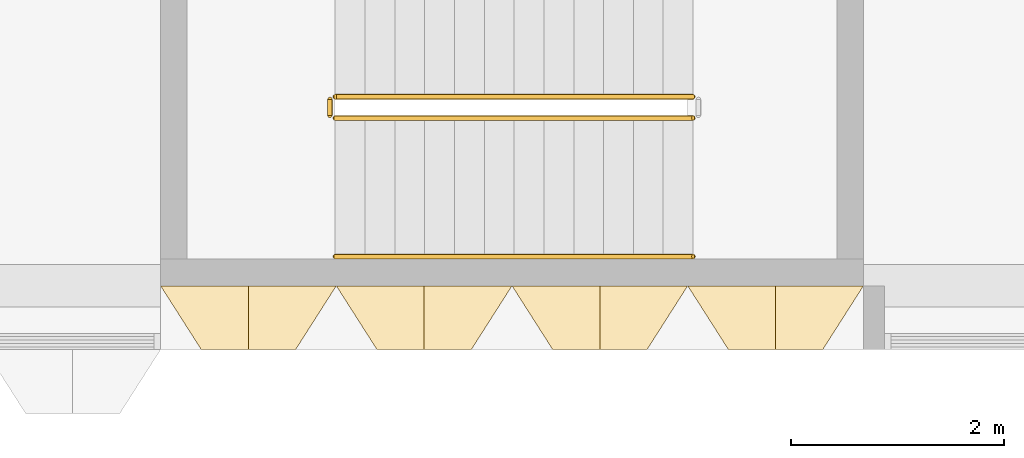
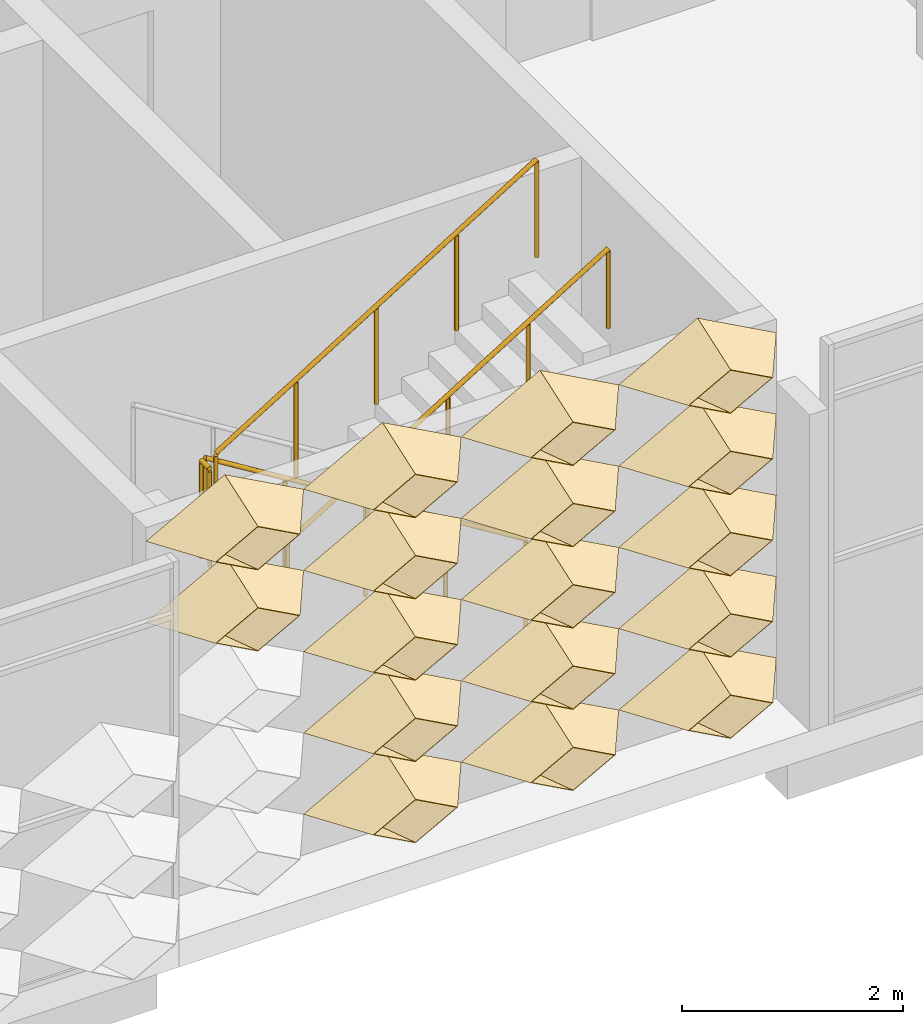
# One storey, part 39 of 61: 17 coverings, 4 railings.
"""IFC4 building model written with IfcOpenShell, lengths in metres."""

from ifc_helpers import new_model, entity, si_unit, direction, frame, origin, origin_2d, place, context, subcontext, project, spatial, circle, extrude, material, layer, layer_set, type_object, element, save


model = new_model("IFC4")

# Units and contexts
model_context = context("Model", 3, precision=1e-05, world=origin(), true_north=direction((0.0, 1.0)))
body_context = subcontext(model_context, "Body", "Model", "MODEL_VIEW")
ifc_project = project(units=[si_unit("LENGTHUNIT", "METRE"), si_unit("AREAUNIT", "SQUARE_METRE"), si_unit("VOLUMEUNIT", "CUBIC_METRE"), si_unit("PLANEANGLEUNIT", "RADIAN"), si_unit("MASSUNIT", "GRAM", prefix="KILO")], contexts=[model_context])

# Site, building, storey
site_placement = place(None, origin())
site = spatial("IfcSite", under=ifc_project, at=site_placement, CompositionType="ELEMENT")
building_placement = place(site_placement, origin())
building = spatial("IfcBuilding", under=site, at=building_placement, Name="Lantern Court Research Institute", CompositionType="ELEMENT")
storey_placement = place(building_placement, frame((0.0, 0.0, 23.39990234375)))
storey = spatial("IfcBuildingStorey", under=building, at=storey_placement, Name="L05", CompositionType="ELEMENT", Elevation=23.39990234375)

# Coverings
ifc_material_1 = material(Name="Anodised aluminium", Category="aluminium")
ifc_layer = layer(ifc_material_1, 0.01611328125)
ifc_layer_set = layer_set([ifc_layer], Name="Anodised aluminium")
covering_type = type_object("IfcCoveringType", Name="Fin cassette 1650 x 900 x 600 aluminium", PredefinedType="CLADDING", material=ifc_layer_set)
covering_1_placement = place(storey_placement, frame((55.27490234375, -7.800048828125, 0.4501953125), z_axis=(0.0, -1.0, 0.0), x_axis=(1.0, 0.0, 0.0)))
cartesian_point_1 = entity("IfcCartesianPoint", [0.824951171875, 0.0])
cartesian_point_2 = entity("IfcCartesianPoint", [0.79150390625, 0.0])
cartesian_point_3 = entity("IfcCartesianPoint", [0.44189453125, 0.0])
cartesian_point_4 = entity("IfcCartesianPoint", [0.43359375, 0.0])
element("IfcCovering", 1, at=covering_1_placement, inside=storey, type_object=covering_type, Name="Fin cassette V5S-L05 1.34", PredefinedType="CLADDING", context=body_context, shape_type="SweptSolid", body=[
    entity("IfcExtrudedAreaSolidTapered", entity("IfcArbitraryProfileDefWithVoids", "AREA", None, entity("IfcPolyline", [cartesian_point_1, entity("IfcCartesianPoint", [0.0, 0.449951171875]), entity("IfcCartesianPoint", [-0.824951171875, 0.0]), entity("IfcCartesianPoint", [0.0, -0.449951171875]), cartesian_point_1]), [entity("IfcPolyline", [cartesian_point_2, entity("IfcCartesianPoint", [0.0, 0.431884765625]), entity("IfcCartesianPoint", [-0.79150390625, 0.0]), entity("IfcCartesianPoint", [0.0, -0.431884765625]), cartesian_point_2])]), entity("IfcAxis2Placement3D", entity("IfcCartesianPoint", [0.0, 0.0, 0.0])), entity("IfcDirection", [0.0, 0.0, 1.0]), 0.60009765625, entity("IfcArbitraryProfileDefWithVoids", "AREA", None, entity("IfcPolyline", [cartesian_point_3, entity("IfcCartesianPoint", [0.0, 0.240966796875]), entity("IfcCartesianPoint", [-0.44189453125, 0.0]), entity("IfcCartesianPoint", [0.0, -0.240966796875]), cartesian_point_3]), [entity("IfcPolyline", [cartesian_point_4, entity("IfcCartesianPoint", [0.0, 0.236572265625]), entity("IfcCartesianPoint", [-0.43359375, 0.0]), entity("IfcCartesianPoint", [0.0, -0.236572265625]), cartesian_point_4])])),
])
covering_2_placement = place(storey_placement, frame((56.925048828125, -7.800048828125, 0.4501953125), z_axis=(0.0, -1.0, 0.0), x_axis=(1.0, 0.0, 0.0)))
cartesian_point_5 = entity("IfcCartesianPoint", [0.824951171875, 0.0])
cartesian_point_6 = entity("IfcCartesianPoint", [0.79150390625, 0.0])
cartesian_point_7 = entity("IfcCartesianPoint", [0.44189453125, 0.0])
cartesian_point_8 = entity("IfcCartesianPoint", [0.43359375, 0.0])
element("IfcCovering", 2, at=covering_2_placement, inside=storey, type_object=covering_type, Name="Fin cassette V5S-L05 1.35", PredefinedType="CLADDING", context=body_context, shape_type="SweptSolid", body=[
    entity("IfcExtrudedAreaSolidTapered", entity("IfcArbitraryProfileDefWithVoids", "AREA", None, entity("IfcPolyline", [cartesian_point_5, entity("IfcCartesianPoint", [0.0, 0.449951171875]), entity("IfcCartesianPoint", [-0.824951171875, 0.0]), entity("IfcCartesianPoint", [0.0, -0.449951171875]), cartesian_point_5]), [entity("IfcPolyline", [cartesian_point_6, entity("IfcCartesianPoint", [0.0, 0.431884765625]), entity("IfcCartesianPoint", [-0.79150390625, 0.0]), entity("IfcCartesianPoint", [0.0, -0.431884765625]), cartesian_point_6])]), entity("IfcAxis2Placement3D", entity("IfcCartesianPoint", [0.0, 0.0, 0.0])), entity("IfcDirection", [0.0, 0.0, 1.0]), 0.60009765625, entity("IfcArbitraryProfileDefWithVoids", "AREA", None, entity("IfcPolyline", [cartesian_point_7, entity("IfcCartesianPoint", [0.0, 0.240966796875]), entity("IfcCartesianPoint", [-0.44189453125, 0.0]), entity("IfcCartesianPoint", [0.0, -0.240966796875]), cartesian_point_7]), [entity("IfcPolyline", [cartesian_point_8, entity("IfcCartesianPoint", [0.0, 0.236572265625]), entity("IfcCartesianPoint", [-0.43359375, 0.0]), entity("IfcCartesianPoint", [0.0, -0.236572265625]), cartesian_point_8])])),
])
covering_3_placement = place(storey_placement, frame((58.574951171875, -7.800048828125, 0.4501953125), z_axis=(0.0, -1.0, 0.0), x_axis=(1.0, 0.0, 0.0)))
cartesian_point_9 = entity("IfcCartesianPoint", [0.824951171875, 0.0])
cartesian_point_10 = entity("IfcCartesianPoint", [0.79150390625, 0.0])
cartesian_point_11 = entity("IfcCartesianPoint", [0.44189453125, 0.0])
cartesian_point_12 = entity("IfcCartesianPoint", [0.43359375, 0.0])
element("IfcCovering", 3, at=covering_3_placement, inside=storey, type_object=covering_type, Name="Fin cassette V5S-L05 1.36", PredefinedType="CLADDING", context=body_context, shape_type="SweptSolid", body=[
    entity("IfcExtrudedAreaSolidTapered", entity("IfcArbitraryProfileDefWithVoids", "AREA", None, entity("IfcPolyline", [cartesian_point_9, entity("IfcCartesianPoint", [0.0, 0.449951171875]), entity("IfcCartesianPoint", [-0.824951171875, 0.0]), entity("IfcCartesianPoint", [0.0, -0.449951171875]), cartesian_point_9]), [entity("IfcPolyline", [cartesian_point_10, entity("IfcCartesianPoint", [0.0, 0.431884765625]), entity("IfcCartesianPoint", [-0.79150390625, 0.0]), entity("IfcCartesianPoint", [0.0, -0.431884765625]), cartesian_point_10])]), entity("IfcAxis2Placement3D", entity("IfcCartesianPoint", [0.0, 0.0, 0.0])), entity("IfcDirection", [0.0, 0.0, 1.0]), 0.60009765625, entity("IfcArbitraryProfileDefWithVoids", "AREA", None, entity("IfcPolyline", [cartesian_point_11, entity("IfcCartesianPoint", [0.0, 0.240966796875]), entity("IfcCartesianPoint", [-0.44189453125, 0.0]), entity("IfcCartesianPoint", [0.0, -0.240966796875]), cartesian_point_11]), [entity("IfcPolyline", [cartesian_point_12, entity("IfcCartesianPoint", [0.0, 0.236572265625]), entity("IfcCartesianPoint", [-0.43359375, 0.0]), entity("IfcCartesianPoint", [0.0, -0.236572265625]), cartesian_point_12])])),
])
covering_4_placement = place(storey_placement, frame((55.27490234375, -7.800048828125, 1.35009765625), z_axis=(0.0, -1.0, 0.0), x_axis=(1.0, 0.0, 0.0)))
cartesian_point_13 = entity("IfcCartesianPoint", [0.824951171875, 0.0])
cartesian_point_14 = entity("IfcCartesianPoint", [0.79150390625, 0.0])
cartesian_point_15 = entity("IfcCartesianPoint", [0.44189453125, 0.0])
cartesian_point_16 = entity("IfcCartesianPoint", [0.43359375, 0.0])
element("IfcCovering", 4, at=covering_4_placement, inside=storey, type_object=covering_type, Name="Fin cassette V5S-L05 2.34", PredefinedType="CLADDING", context=body_context, shape_type="SweptSolid", body=[
    entity("IfcExtrudedAreaSolidTapered", entity("IfcArbitraryProfileDefWithVoids", "AREA", None, entity("IfcPolyline", [cartesian_point_13, entity("IfcCartesianPoint", [0.0, 0.449951171875]), entity("IfcCartesianPoint", [-0.824951171875, 0.0]), entity("IfcCartesianPoint", [0.0, -0.449951171875]), cartesian_point_13]), [entity("IfcPolyline", [cartesian_point_14, entity("IfcCartesianPoint", [0.0, 0.431884765625]), entity("IfcCartesianPoint", [-0.79150390625, 0.0]), entity("IfcCartesianPoint", [0.0, -0.431884765625]), cartesian_point_14])]), entity("IfcAxis2Placement3D", entity("IfcCartesianPoint", [0.0, 0.0, 0.0])), entity("IfcDirection", [0.0, 0.0, 1.0]), 0.60009765625, entity("IfcArbitraryProfileDefWithVoids", "AREA", None, entity("IfcPolyline", [cartesian_point_15, entity("IfcCartesianPoint", [0.0, 0.240966796875]), entity("IfcCartesianPoint", [-0.44189453125, 0.0]), entity("IfcCartesianPoint", [0.0, -0.240966796875]), cartesian_point_15]), [entity("IfcPolyline", [cartesian_point_16, entity("IfcCartesianPoint", [0.0, 0.236572265625]), entity("IfcCartesianPoint", [-0.43359375, 0.0]), entity("IfcCartesianPoint", [0.0, -0.236572265625]), cartesian_point_16])])),
])
covering_5_placement = place(storey_placement, frame((56.925048828125, -7.800048828125, 1.35009765625), z_axis=(0.0, -1.0, 0.0), x_axis=(1.0, 0.0, 0.0)))
cartesian_point_17 = entity("IfcCartesianPoint", [0.824951171875, 0.0])
cartesian_point_18 = entity("IfcCartesianPoint", [0.79150390625, 0.0])
cartesian_point_19 = entity("IfcCartesianPoint", [0.44189453125, 0.0])
cartesian_point_20 = entity("IfcCartesianPoint", [0.43359375, 0.0])
element("IfcCovering", 5, at=covering_5_placement, inside=storey, type_object=covering_type, Name="Fin cassette V5S-L05 2.35", PredefinedType="CLADDING", context=body_context, shape_type="SweptSolid", body=[
    entity("IfcExtrudedAreaSolidTapered", entity("IfcArbitraryProfileDefWithVoids", "AREA", None, entity("IfcPolyline", [cartesian_point_17, entity("IfcCartesianPoint", [0.0, 0.449951171875]), entity("IfcCartesianPoint", [-0.824951171875, 0.0]), entity("IfcCartesianPoint", [0.0, -0.449951171875]), cartesian_point_17]), [entity("IfcPolyline", [cartesian_point_18, entity("IfcCartesianPoint", [0.0, 0.431884765625]), entity("IfcCartesianPoint", [-0.79150390625, 0.0]), entity("IfcCartesianPoint", [0.0, -0.431884765625]), cartesian_point_18])]), entity("IfcAxis2Placement3D", entity("IfcCartesianPoint", [0.0, 0.0, 0.0])), entity("IfcDirection", [0.0, 0.0, 1.0]), 0.60009765625, entity("IfcArbitraryProfileDefWithVoids", "AREA", None, entity("IfcPolyline", [cartesian_point_19, entity("IfcCartesianPoint", [0.0, 0.240966796875]), entity("IfcCartesianPoint", [-0.44189453125, 0.0]), entity("IfcCartesianPoint", [0.0, -0.240966796875]), cartesian_point_19]), [entity("IfcPolyline", [cartesian_point_20, entity("IfcCartesianPoint", [0.0, 0.236572265625]), entity("IfcCartesianPoint", [-0.43359375, 0.0]), entity("IfcCartesianPoint", [0.0, -0.236572265625]), cartesian_point_20])])),
])
covering_6_placement = place(storey_placement, frame((58.574951171875, -7.800048828125, 1.35009765625), z_axis=(0.0, -1.0, 0.0), x_axis=(1.0, 0.0, 0.0)))
cartesian_point_21 = entity("IfcCartesianPoint", [0.824951171875, 0.0])
cartesian_point_22 = entity("IfcCartesianPoint", [0.79150390625, 0.0])
cartesian_point_23 = entity("IfcCartesianPoint", [0.44189453125, 0.0])
cartesian_point_24 = entity("IfcCartesianPoint", [0.43359375, 0.0])
element("IfcCovering", 6, at=covering_6_placement, inside=storey, type_object=covering_type, Name="Fin cassette V5S-L05 2.36", PredefinedType="CLADDING", context=body_context, shape_type="SweptSolid", body=[
    entity("IfcExtrudedAreaSolidTapered", entity("IfcArbitraryProfileDefWithVoids", "AREA", None, entity("IfcPolyline", [cartesian_point_21, entity("IfcCartesianPoint", [0.0, 0.449951171875]), entity("IfcCartesianPoint", [-0.824951171875, 0.0]), entity("IfcCartesianPoint", [0.0, -0.449951171875]), cartesian_point_21]), [entity("IfcPolyline", [cartesian_point_22, entity("IfcCartesianPoint", [0.0, 0.431884765625]), entity("IfcCartesianPoint", [-0.79150390625, 0.0]), entity("IfcCartesianPoint", [0.0, -0.431884765625]), cartesian_point_22])]), entity("IfcAxis2Placement3D", entity("IfcCartesianPoint", [0.0, 0.0, 0.0])), entity("IfcDirection", [0.0, 0.0, 1.0]), 0.60009765625, entity("IfcArbitraryProfileDefWithVoids", "AREA", None, entity("IfcPolyline", [cartesian_point_23, entity("IfcCartesianPoint", [0.0, 0.240966796875]), entity("IfcCartesianPoint", [-0.44189453125, 0.0]), entity("IfcCartesianPoint", [0.0, -0.240966796875]), cartesian_point_23]), [entity("IfcPolyline", [cartesian_point_24, entity("IfcCartesianPoint", [0.0, 0.236572265625]), entity("IfcCartesianPoint", [-0.43359375, 0.0]), entity("IfcCartesianPoint", [0.0, -0.236572265625]), cartesian_point_24])])),
])
covering_7_placement = place(storey_placement, frame((55.27490234375, -7.800048828125, 2.25), z_axis=(0.0, -1.0, 0.0), x_axis=(1.0, 0.0, 0.0)))
cartesian_point_25 = entity("IfcCartesianPoint", [0.824951171875, 0.0])
cartesian_point_26 = entity("IfcCartesianPoint", [0.79150390625, 0.0])
cartesian_point_27 = entity("IfcCartesianPoint", [0.44189453125, 0.0])
cartesian_point_28 = entity("IfcCartesianPoint", [0.43359375, 0.0])
element("IfcCovering", 7, at=covering_7_placement, inside=storey, type_object=covering_type, Name="Fin cassette V5S-L05 3.34", PredefinedType="CLADDING", context=body_context, shape_type="SweptSolid", body=[
    entity("IfcExtrudedAreaSolidTapered", entity("IfcArbitraryProfileDefWithVoids", "AREA", None, entity("IfcPolyline", [cartesian_point_25, entity("IfcCartesianPoint", [0.0, 0.449951171875]), entity("IfcCartesianPoint", [-0.824951171875, 0.0]), entity("IfcCartesianPoint", [0.0, -0.449951171875]), cartesian_point_25]), [entity("IfcPolyline", [cartesian_point_26, entity("IfcCartesianPoint", [0.0, 0.431884765625]), entity("IfcCartesianPoint", [-0.79150390625, 0.0]), entity("IfcCartesianPoint", [0.0, -0.431884765625]), cartesian_point_26])]), entity("IfcAxis2Placement3D", entity("IfcCartesianPoint", [0.0, 0.0, 0.0])), entity("IfcDirection", [0.0, 0.0, 1.0]), 0.60009765625, entity("IfcArbitraryProfileDefWithVoids", "AREA", None, entity("IfcPolyline", [cartesian_point_27, entity("IfcCartesianPoint", [0.0, 0.240966796875]), entity("IfcCartesianPoint", [-0.44189453125, 0.0]), entity("IfcCartesianPoint", [0.0, -0.240966796875]), cartesian_point_27]), [entity("IfcPolyline", [cartesian_point_28, entity("IfcCartesianPoint", [0.0, 0.236572265625]), entity("IfcCartesianPoint", [-0.43359375, 0.0]), entity("IfcCartesianPoint", [0.0, -0.236572265625]), cartesian_point_28])])),
])
covering_8_placement = place(storey_placement, frame((56.925048828125, -7.800048828125, 2.25), z_axis=(0.0, -1.0, 0.0), x_axis=(1.0, 0.0, 0.0)))
cartesian_point_29 = entity("IfcCartesianPoint", [0.824951171875, 0.0])
cartesian_point_30 = entity("IfcCartesianPoint", [0.79150390625, 0.0])
cartesian_point_31 = entity("IfcCartesianPoint", [0.44189453125, 0.0])
cartesian_point_32 = entity("IfcCartesianPoint", [0.43359375, 0.0])
element("IfcCovering", 8, at=covering_8_placement, inside=storey, type_object=covering_type, Name="Fin cassette V5S-L05 3.35", PredefinedType="CLADDING", context=body_context, shape_type="SweptSolid", body=[
    entity("IfcExtrudedAreaSolidTapered", entity("IfcArbitraryProfileDefWithVoids", "AREA", None, entity("IfcPolyline", [cartesian_point_29, entity("IfcCartesianPoint", [0.0, 0.449951171875]), entity("IfcCartesianPoint", [-0.824951171875, 0.0]), entity("IfcCartesianPoint", [0.0, -0.449951171875]), cartesian_point_29]), [entity("IfcPolyline", [cartesian_point_30, entity("IfcCartesianPoint", [0.0, 0.431884765625]), entity("IfcCartesianPoint", [-0.79150390625, 0.0]), entity("IfcCartesianPoint", [0.0, -0.431884765625]), cartesian_point_30])]), entity("IfcAxis2Placement3D", entity("IfcCartesianPoint", [0.0, 0.0, 0.0])), entity("IfcDirection", [0.0, 0.0, 1.0]), 0.60009765625, entity("IfcArbitraryProfileDefWithVoids", "AREA", None, entity("IfcPolyline", [cartesian_point_31, entity("IfcCartesianPoint", [0.0, 0.240966796875]), entity("IfcCartesianPoint", [-0.44189453125, 0.0]), entity("IfcCartesianPoint", [0.0, -0.240966796875]), cartesian_point_31]), [entity("IfcPolyline", [cartesian_point_32, entity("IfcCartesianPoint", [0.0, 0.236572265625]), entity("IfcCartesianPoint", [-0.43359375, 0.0]), entity("IfcCartesianPoint", [0.0, -0.236572265625]), cartesian_point_32])])),
])
covering_9_placement = place(storey_placement, frame((58.574951171875, -7.800048828125, 2.25), z_axis=(0.0, -1.0, 0.0), x_axis=(1.0, 0.0, 0.0)))
cartesian_point_33 = entity("IfcCartesianPoint", [0.824951171875, 0.0])
cartesian_point_34 = entity("IfcCartesianPoint", [0.79150390625, 0.0])
cartesian_point_35 = entity("IfcCartesianPoint", [0.44189453125, 0.0])
cartesian_point_36 = entity("IfcCartesianPoint", [0.43359375, 0.0])
element("IfcCovering", 9, at=covering_9_placement, inside=storey, type_object=covering_type, Name="Fin cassette V5S-L05 3.36", PredefinedType="CLADDING", context=body_context, shape_type="SweptSolid", body=[
    entity("IfcExtrudedAreaSolidTapered", entity("IfcArbitraryProfileDefWithVoids", "AREA", None, entity("IfcPolyline", [cartesian_point_33, entity("IfcCartesianPoint", [0.0, 0.449951171875]), entity("IfcCartesianPoint", [-0.824951171875, 0.0]), entity("IfcCartesianPoint", [0.0, -0.449951171875]), cartesian_point_33]), [entity("IfcPolyline", [cartesian_point_34, entity("IfcCartesianPoint", [0.0, 0.431884765625]), entity("IfcCartesianPoint", [-0.79150390625, 0.0]), entity("IfcCartesianPoint", [0.0, -0.431884765625]), cartesian_point_34])]), entity("IfcAxis2Placement3D", entity("IfcCartesianPoint", [0.0, 0.0, 0.0])), entity("IfcDirection", [0.0, 0.0, 1.0]), 0.60009765625, entity("IfcArbitraryProfileDefWithVoids", "AREA", None, entity("IfcPolyline", [cartesian_point_35, entity("IfcCartesianPoint", [0.0, 0.240966796875]), entity("IfcCartesianPoint", [-0.44189453125, 0.0]), entity("IfcCartesianPoint", [0.0, -0.240966796875]), cartesian_point_35]), [entity("IfcPolyline", [cartesian_point_36, entity("IfcCartesianPoint", [0.0, 0.236572265625]), entity("IfcCartesianPoint", [-0.43359375, 0.0]), entity("IfcCartesianPoint", [0.0, -0.236572265625]), cartesian_point_36])])),
])
covering_10_placement = place(storey_placement, frame((53.625, -7.800048828125, 3.150146484375), z_axis=(0.0, -1.0, 0.0), x_axis=(1.0, 0.0, 0.0)))
cartesian_point_37 = entity("IfcCartesianPoint", [0.824951171875, 0.0])
cartesian_point_38 = entity("IfcCartesianPoint", [0.79150390625, 0.0])
cartesian_point_39 = entity("IfcCartesianPoint", [0.44189453125, 0.0])
cartesian_point_40 = entity("IfcCartesianPoint", [0.43359375, 0.0])
element("IfcCovering", 10, at=covering_10_placement, inside=storey, type_object=covering_type, Name="Fin cassette V5S-L05 4.33", PredefinedType="CLADDING", context=body_context, shape_type="SweptSolid", body=[
    entity("IfcExtrudedAreaSolidTapered", entity("IfcArbitraryProfileDefWithVoids", "AREA", None, entity("IfcPolyline", [cartesian_point_37, entity("IfcCartesianPoint", [0.0, 0.449951171875]), entity("IfcCartesianPoint", [-0.824951171875, 0.0]), entity("IfcCartesianPoint", [0.0, -0.449951171875]), cartesian_point_37]), [entity("IfcPolyline", [cartesian_point_38, entity("IfcCartesianPoint", [0.0, 0.431884765625]), entity("IfcCartesianPoint", [-0.79150390625, 0.0]), entity("IfcCartesianPoint", [0.0, -0.431884765625]), cartesian_point_38])]), entity("IfcAxis2Placement3D", entity("IfcCartesianPoint", [0.0, 0.0, 0.0])), entity("IfcDirection", [0.0, 0.0, 1.0]), 0.60009765625, entity("IfcArbitraryProfileDefWithVoids", "AREA", None, entity("IfcPolyline", [cartesian_point_39, entity("IfcCartesianPoint", [0.0, 0.240966796875]), entity("IfcCartesianPoint", [-0.44189453125, 0.0]), entity("IfcCartesianPoint", [0.0, -0.240966796875]), cartesian_point_39]), [entity("IfcPolyline", [cartesian_point_40, entity("IfcCartesianPoint", [0.0, 0.236572265625]), entity("IfcCartesianPoint", [-0.43359375, 0.0]), entity("IfcCartesianPoint", [0.0, -0.236572265625]), cartesian_point_40])])),
])
covering_11_placement = place(storey_placement, frame((55.27490234375, -7.800048828125, 3.150146484375), z_axis=(0.0, -1.0, 0.0), x_axis=(1.0, 0.0, 0.0)))
cartesian_point_41 = entity("IfcCartesianPoint", [0.824951171875, 0.0])
cartesian_point_42 = entity("IfcCartesianPoint", [0.79150390625, 0.0])
cartesian_point_43 = entity("IfcCartesianPoint", [0.44189453125, 0.0])
cartesian_point_44 = entity("IfcCartesianPoint", [0.43359375, 0.0])
element("IfcCovering", 11, at=covering_11_placement, inside=storey, type_object=covering_type, Name="Fin cassette V5S-L05 4.34", PredefinedType="CLADDING", context=body_context, shape_type="SweptSolid", body=[
    entity("IfcExtrudedAreaSolidTapered", entity("IfcArbitraryProfileDefWithVoids", "AREA", None, entity("IfcPolyline", [cartesian_point_41, entity("IfcCartesianPoint", [0.0, 0.449951171875]), entity("IfcCartesianPoint", [-0.824951171875, 0.0]), entity("IfcCartesianPoint", [0.0, -0.449951171875]), cartesian_point_41]), [entity("IfcPolyline", [cartesian_point_42, entity("IfcCartesianPoint", [0.0, 0.431884765625]), entity("IfcCartesianPoint", [-0.79150390625, 0.0]), entity("IfcCartesianPoint", [0.0, -0.431884765625]), cartesian_point_42])]), entity("IfcAxis2Placement3D", entity("IfcCartesianPoint", [0.0, 0.0, 0.0])), entity("IfcDirection", [0.0, 0.0, 1.0]), 0.60009765625, entity("IfcArbitraryProfileDefWithVoids", "AREA", None, entity("IfcPolyline", [cartesian_point_43, entity("IfcCartesianPoint", [0.0, 0.240966796875]), entity("IfcCartesianPoint", [-0.44189453125, 0.0]), entity("IfcCartesianPoint", [0.0, -0.240966796875]), cartesian_point_43]), [entity("IfcPolyline", [cartesian_point_44, entity("IfcCartesianPoint", [0.0, 0.236572265625]), entity("IfcCartesianPoint", [-0.43359375, 0.0]), entity("IfcCartesianPoint", [0.0, -0.236572265625]), cartesian_point_44])])),
])
covering_12_placement = place(storey_placement, frame((56.925048828125, -7.800048828125, 3.150146484375), z_axis=(0.0, -1.0, 0.0), x_axis=(1.0, 0.0, 0.0)))
cartesian_point_45 = entity("IfcCartesianPoint", [0.824951171875, 0.0])
cartesian_point_46 = entity("IfcCartesianPoint", [0.79150390625, 0.0])
cartesian_point_47 = entity("IfcCartesianPoint", [0.44189453125, 0.0])
cartesian_point_48 = entity("IfcCartesianPoint", [0.43359375, 0.0])
element("IfcCovering", 12, at=covering_12_placement, inside=storey, type_object=covering_type, Name="Fin cassette V5S-L05 4.35", PredefinedType="CLADDING", context=body_context, shape_type="SweptSolid", body=[
    entity("IfcExtrudedAreaSolidTapered", entity("IfcArbitraryProfileDefWithVoids", "AREA", None, entity("IfcPolyline", [cartesian_point_45, entity("IfcCartesianPoint", [0.0, 0.449951171875]), entity("IfcCartesianPoint", [-0.824951171875, 0.0]), entity("IfcCartesianPoint", [0.0, -0.449951171875]), cartesian_point_45]), [entity("IfcPolyline", [cartesian_point_46, entity("IfcCartesianPoint", [0.0, 0.431884765625]), entity("IfcCartesianPoint", [-0.79150390625, 0.0]), entity("IfcCartesianPoint", [0.0, -0.431884765625]), cartesian_point_46])]), entity("IfcAxis2Placement3D", entity("IfcCartesianPoint", [0.0, 0.0, 0.0])), entity("IfcDirection", [0.0, 0.0, 1.0]), 0.60009765625, entity("IfcArbitraryProfileDefWithVoids", "AREA", None, entity("IfcPolyline", [cartesian_point_47, entity("IfcCartesianPoint", [0.0, 0.240966796875]), entity("IfcCartesianPoint", [-0.44189453125, 0.0]), entity("IfcCartesianPoint", [0.0, -0.240966796875]), cartesian_point_47]), [entity("IfcPolyline", [cartesian_point_48, entity("IfcCartesianPoint", [0.0, 0.236572265625]), entity("IfcCartesianPoint", [-0.43359375, 0.0]), entity("IfcCartesianPoint", [0.0, -0.236572265625]), cartesian_point_48])])),
])
covering_13_placement = place(storey_placement, frame((58.574951171875, -7.800048828125, 3.150146484375), z_axis=(0.0, -1.0, 0.0), x_axis=(1.0, 0.0, 0.0)))
cartesian_point_49 = entity("IfcCartesianPoint", [0.824951171875, 0.0])
cartesian_point_50 = entity("IfcCartesianPoint", [0.79150390625, 0.0])
cartesian_point_51 = entity("IfcCartesianPoint", [0.44189453125, 0.0])
cartesian_point_52 = entity("IfcCartesianPoint", [0.43359375, 0.0])
element("IfcCovering", 13, at=covering_13_placement, inside=storey, type_object=covering_type, Name="Fin cassette V5S-L05 4.36", PredefinedType="CLADDING", context=body_context, shape_type="SweptSolid", body=[
    entity("IfcExtrudedAreaSolidTapered", entity("IfcArbitraryProfileDefWithVoids", "AREA", None, entity("IfcPolyline", [cartesian_point_49, entity("IfcCartesianPoint", [0.0, 0.449951171875]), entity("IfcCartesianPoint", [-0.824951171875, 0.0]), entity("IfcCartesianPoint", [0.0, -0.449951171875]), cartesian_point_49]), [entity("IfcPolyline", [cartesian_point_50, entity("IfcCartesianPoint", [0.0, 0.431884765625]), entity("IfcCartesianPoint", [-0.79150390625, 0.0]), entity("IfcCartesianPoint", [0.0, -0.431884765625]), cartesian_point_50])]), entity("IfcAxis2Placement3D", entity("IfcCartesianPoint", [0.0, 0.0, 0.0])), entity("IfcDirection", [0.0, 0.0, 1.0]), 0.60009765625, entity("IfcArbitraryProfileDefWithVoids", "AREA", None, entity("IfcPolyline", [cartesian_point_51, entity("IfcCartesianPoint", [0.0, 0.240966796875]), entity("IfcCartesianPoint", [-0.44189453125, 0.0]), entity("IfcCartesianPoint", [0.0, -0.240966796875]), cartesian_point_51]), [entity("IfcPolyline", [cartesian_point_52, entity("IfcCartesianPoint", [0.0, 0.236572265625]), entity("IfcCartesianPoint", [-0.43359375, 0.0]), entity("IfcCartesianPoint", [0.0, -0.236572265625]), cartesian_point_52])])),
])
covering_14_placement = place(storey_placement, frame((53.625, -7.800048828125, 4.050048828125), z_axis=(0.0, -1.0, 0.0), x_axis=(1.0, 0.0, 0.0)))
cartesian_point_53 = entity("IfcCartesianPoint", [0.824951171875, 0.0])
cartesian_point_54 = entity("IfcCartesianPoint", [0.79150390625, 0.0])
cartesian_point_55 = entity("IfcCartesianPoint", [0.44189453125, 0.0])
cartesian_point_56 = entity("IfcCartesianPoint", [0.43359375, 0.0])
element("IfcCovering", 14, at=covering_14_placement, inside=storey, type_object=covering_type, Name="Fin cassette V5S-L05 5.33", PredefinedType="CLADDING", context=body_context, shape_type="SweptSolid", body=[
    entity("IfcExtrudedAreaSolidTapered", entity("IfcArbitraryProfileDefWithVoids", "AREA", None, entity("IfcPolyline", [cartesian_point_53, entity("IfcCartesianPoint", [0.0, 0.449951171875]), entity("IfcCartesianPoint", [-0.824951171875, 0.0]), entity("IfcCartesianPoint", [0.0, -0.449951171875]), cartesian_point_53]), [entity("IfcPolyline", [cartesian_point_54, entity("IfcCartesianPoint", [0.0, 0.431884765625]), entity("IfcCartesianPoint", [-0.79150390625, 0.0]), entity("IfcCartesianPoint", [0.0, -0.431884765625]), cartesian_point_54])]), entity("IfcAxis2Placement3D", entity("IfcCartesianPoint", [0.0, 0.0, 0.0])), entity("IfcDirection", [0.0, 0.0, 1.0]), 0.60009765625, entity("IfcArbitraryProfileDefWithVoids", "AREA", None, entity("IfcPolyline", [cartesian_point_55, entity("IfcCartesianPoint", [0.0, 0.240966796875]), entity("IfcCartesianPoint", [-0.44189453125, 0.0]), entity("IfcCartesianPoint", [0.0, -0.240966796875]), cartesian_point_55]), [entity("IfcPolyline", [cartesian_point_56, entity("IfcCartesianPoint", [0.0, 0.236572265625]), entity("IfcCartesianPoint", [-0.43359375, 0.0]), entity("IfcCartesianPoint", [0.0, -0.236572265625]), cartesian_point_56])])),
])
covering_15_placement = place(storey_placement, frame((55.27490234375, -7.800048828125, 4.050048828125), z_axis=(0.0, -1.0, 0.0), x_axis=(1.0, 0.0, 0.0)))
cartesian_point_57 = entity("IfcCartesianPoint", [0.824951171875, 0.0])
cartesian_point_58 = entity("IfcCartesianPoint", [0.79150390625, 0.0])
cartesian_point_59 = entity("IfcCartesianPoint", [0.44189453125, 0.0])
cartesian_point_60 = entity("IfcCartesianPoint", [0.43359375, 0.0])
element("IfcCovering", 15, at=covering_15_placement, inside=storey, type_object=covering_type, Name="Fin cassette V5S-L05 5.34", PredefinedType="CLADDING", context=body_context, shape_type="SweptSolid", body=[
    entity("IfcExtrudedAreaSolidTapered", entity("IfcArbitraryProfileDefWithVoids", "AREA", None, entity("IfcPolyline", [cartesian_point_57, entity("IfcCartesianPoint", [0.0, 0.449951171875]), entity("IfcCartesianPoint", [-0.824951171875, 0.0]), entity("IfcCartesianPoint", [0.0, -0.449951171875]), cartesian_point_57]), [entity("IfcPolyline", [cartesian_point_58, entity("IfcCartesianPoint", [0.0, 0.431884765625]), entity("IfcCartesianPoint", [-0.79150390625, 0.0]), entity("IfcCartesianPoint", [0.0, -0.431884765625]), cartesian_point_58])]), entity("IfcAxis2Placement3D", entity("IfcCartesianPoint", [0.0, 0.0, 0.0])), entity("IfcDirection", [0.0, 0.0, 1.0]), 0.60009765625, entity("IfcArbitraryProfileDefWithVoids", "AREA", None, entity("IfcPolyline", [cartesian_point_59, entity("IfcCartesianPoint", [0.0, 0.240966796875]), entity("IfcCartesianPoint", [-0.44189453125, 0.0]), entity("IfcCartesianPoint", [0.0, -0.240966796875]), cartesian_point_59]), [entity("IfcPolyline", [cartesian_point_60, entity("IfcCartesianPoint", [0.0, 0.236572265625]), entity("IfcCartesianPoint", [-0.43359375, 0.0]), entity("IfcCartesianPoint", [0.0, -0.236572265625]), cartesian_point_60])])),
])
covering_16_placement = place(storey_placement, frame((56.925048828125, -7.800048828125, 4.050048828125), z_axis=(0.0, -1.0, 0.0), x_axis=(1.0, 0.0, 0.0)))
cartesian_point_61 = entity("IfcCartesianPoint", [0.824951171875, 0.0])
cartesian_point_62 = entity("IfcCartesianPoint", [0.79150390625, 0.0])
cartesian_point_63 = entity("IfcCartesianPoint", [0.44189453125, 0.0])
cartesian_point_64 = entity("IfcCartesianPoint", [0.43359375, 0.0])
element("IfcCovering", 16, at=covering_16_placement, inside=storey, type_object=covering_type, Name="Fin cassette V5S-L05 5.35", PredefinedType="CLADDING", context=body_context, shape_type="SweptSolid", body=[
    entity("IfcExtrudedAreaSolidTapered", entity("IfcArbitraryProfileDefWithVoids", "AREA", None, entity("IfcPolyline", [cartesian_point_61, entity("IfcCartesianPoint", [0.0, 0.449951171875]), entity("IfcCartesianPoint", [-0.824951171875, 0.0]), entity("IfcCartesianPoint", [0.0, -0.449951171875]), cartesian_point_61]), [entity("IfcPolyline", [cartesian_point_62, entity("IfcCartesianPoint", [0.0, 0.431884765625]), entity("IfcCartesianPoint", [-0.79150390625, 0.0]), entity("IfcCartesianPoint", [0.0, -0.431884765625]), cartesian_point_62])]), entity("IfcAxis2Placement3D", entity("IfcCartesianPoint", [0.0, 0.0, 0.0])), entity("IfcDirection", [0.0, 0.0, 1.0]), 0.60009765625, entity("IfcArbitraryProfileDefWithVoids", "AREA", None, entity("IfcPolyline", [cartesian_point_63, entity("IfcCartesianPoint", [0.0, 0.240966796875]), entity("IfcCartesianPoint", [-0.44189453125, 0.0]), entity("IfcCartesianPoint", [0.0, -0.240966796875]), cartesian_point_63]), [entity("IfcPolyline", [cartesian_point_64, entity("IfcCartesianPoint", [0.0, 0.236572265625]), entity("IfcCartesianPoint", [-0.43359375, 0.0]), entity("IfcCartesianPoint", [0.0, -0.236572265625]), cartesian_point_64])])),
])
covering_17_placement = place(storey_placement, frame((58.574951171875, -7.800048828125, 4.050048828125), z_axis=(0.0, -1.0, 0.0), x_axis=(1.0, 0.0, 0.0)))
cartesian_point_65 = entity("IfcCartesianPoint", [0.824951171875, 0.0])
cartesian_point_66 = entity("IfcCartesianPoint", [0.79150390625, 0.0])
cartesian_point_67 = entity("IfcCartesianPoint", [0.44189453125, 0.0])
cartesian_point_68 = entity("IfcCartesianPoint", [0.43359375, 0.0])
element("IfcCovering", 17, at=covering_17_placement, inside=storey, type_object=covering_type, Name="Fin cassette V5S-L05 5.36", PredefinedType="CLADDING", context=body_context, shape_type="SweptSolid", body=[
    entity("IfcExtrudedAreaSolidTapered", entity("IfcArbitraryProfileDefWithVoids", "AREA", None, entity("IfcPolyline", [cartesian_point_65, entity("IfcCartesianPoint", [0.0, 0.449951171875]), entity("IfcCartesianPoint", [-0.824951171875, 0.0]), entity("IfcCartesianPoint", [0.0, -0.449951171875]), cartesian_point_65]), [entity("IfcPolyline", [cartesian_point_66, entity("IfcCartesianPoint", [0.0, 0.431884765625]), entity("IfcCartesianPoint", [-0.79150390625, 0.0]), entity("IfcCartesianPoint", [0.0, -0.431884765625]), cartesian_point_66])]), entity("IfcAxis2Placement3D", entity("IfcCartesianPoint", [0.0, 0.0, 0.0])), entity("IfcDirection", [0.0, 0.0, 1.0]), 0.60009765625, entity("IfcArbitraryProfileDefWithVoids", "AREA", None, entity("IfcPolyline", [cartesian_point_67, entity("IfcCartesianPoint", [0.0, 0.240966796875]), entity("IfcCartesianPoint", [-0.44189453125, 0.0]), entity("IfcCartesianPoint", [0.0, -0.240966796875]), cartesian_point_67]), [entity("IfcPolyline", [cartesian_point_68, entity("IfcCartesianPoint", [0.0, 0.236572265625]), entity("IfcCartesianPoint", [-0.43359375, 0.0]), entity("IfcCartesianPoint", [0.0, -0.236572265625]), cartesian_point_68])])),
])

# Railings
ifc_material_2 = material(Name="Structural steel S355", Category="steel")
railing_type_1 = type_object("IfcRailingType", Name="Stair guard 1100 steel", PredefinedType="GUARDRAIL", material=ifc_material_2)
railing_1_placement = place(storey_placement, frame((57.800048828125, -6.02490234375, 0.173095703125)))
element("IfcRailing", 18, at=railing_1_placement, inside=storey, type_object=railing_type_1, Name="L05 ST-T1 stair guard 1", PredefinedType="GUARDRAIL", context=body_context, shape_type="SweptSolid", body=[
    extrude(circle(Radius=0.02392578125, at=origin_2d()), frame((0.0, 0.0, 1.076171875), z_axis=(-0.850623216509, 0.0, 0.525775754039), x_axis=(0.0, -1.0, 0.0)), (0.0, 0.0, 1.0), 3.9501953125),
    extrude(circle(Radius=0.02099609375, at=origin_2d()), origin(), (0.0, 0.0, 1.0), 1.052001953125),
    extrude(circle(Radius=0.02099609375, at=origin_2d()), frame((-0.840087890625, 0.0, 0.519287109375)), (0.0, 0.0, 1.0), 1.052001953125),
    extrude(circle(Radius=0.02099609375, at=origin_2d()), frame((-1.68017578125, 0.0, 1.03857421875)), (0.0, 0.0, 1.0), 1.052001953125),
    extrude(circle(Radius=0.02099609375, at=origin_2d()), frame((-2.52001953125, 0.0, 1.5576171875)), (0.0, 0.0, 1.0), 1.052001953125),
    extrude(circle(Radius=0.02099609375, at=origin_2d()), frame((-3.360107421875, 0.0, 2.076904296875)), (0.0, 0.0, 1.0), 1.052001953125),
])
railing_2_placement = place(storey_placement, frame((54.389892578125, -6.050048828125, 2.25)))
element("IfcRailing", 19, at=railing_2_placement, inside=storey, type_object=railing_type_1, Name="L05 ST-T1 stair guard 2", PredefinedType="GUARDRAIL", context=body_context, shape_type="SweptSolid", body=[
    extrude(circle(Radius=0.02392578125, at=origin_2d()), frame((0.0, 0.0, 1.076171875), z_axis=(0.0, -1.0, 0.0), x_axis=(1.0, 0.0, 0.0)), (0.0, 0.0, 1.0), 0.14990234375),
    extrude(circle(Radius=0.02099609375, at=origin_2d()), origin(), (0.0, 0.0, 1.0), 1.052001953125),
    extrude(circle(Radius=0.02099609375, at=origin_2d()), frame((0.0, -0.14990234375, 0.0)), (0.0, 0.0, 1.0), 1.052001953125),
])
railing_3_placement = place(storey_placement, frame((54.43994140625, -6.22509765625, 2.423095703125)))
element("IfcRailing", 20, at=railing_3_placement, inside=storey, type_object=railing_type_1, Name="L05 ST-T1 stair guard 3", PredefinedType="GUARDRAIL", context=body_context, shape_type="SweptSolid", body=[
    extrude(circle(Radius=0.02392578125, at=origin_2d()), frame((0.0, 0.0, 1.076171875), z_axis=(0.850623216509, 0.0, 0.525775754039), x_axis=(0.0, 1.0, 0.0)), (0.0, 0.0, 1.0), 3.9501953125),
    extrude(circle(Radius=0.02099609375, at=origin_2d()), origin(), (0.0, 0.0, 1.0), 1.052001953125),
    extrude(circle(Radius=0.02099609375, at=origin_2d()), frame((0.840087890625, 0.0, 0.519287109375)), (0.0, 0.0, 1.0), 1.052001953125),
    extrude(circle(Radius=0.02099609375, at=origin_2d()), frame((1.68017578125, 0.0, 1.03857421875)), (0.0, 0.0, 1.0), 1.052001953125),
    extrude(circle(Radius=0.02099609375, at=origin_2d()), frame((2.52001953125, 0.0, 1.5576171875)), (0.0, 0.0, 1.0), 1.052001953125),
    extrude(circle(Radius=0.02099609375, at=origin_2d()), frame((3.360107421875, 0.0, 2.076904296875)), (0.0, 0.0, 1.0), 1.052001953125),
])
ifc_material_3 = material(Name="Stainless steel 316", Category="steel")
railing_type_2 = type_object("IfcRailingType", Name="Stair handrail 900 steel", PredefinedType="HANDRAIL", material=ifc_material_3)
railing_4_placement = place(storey_placement, frame((54.43994140625, -7.52490234375, 2.423095703125)))
element("IfcRailing", 21, at=railing_4_placement, inside=storey, type_object=railing_type_2, Name="L05 ST-T1 stair handrail 2", PredefinedType="HANDRAIL", context=body_context, shape_type="SweptSolid", body=[
    extrude(circle(Radius=0.02392578125, at=origin_2d()), frame((0.0, 0.0, 0.8759765625), z_axis=(0.850623216509, 0.0, 0.525775754039), x_axis=(0.0, 1.0, 0.0)), (0.0, 0.0, 1.0), 3.9501953125),
    extrude(circle(Radius=0.02099609375, at=origin_2d()), origin(), (0.0, 0.0, 1.0), 0.851806640625),
    extrude(circle(Radius=0.02099609375, at=origin_2d()), frame((0.840087890625, 0.0, 0.519287109375)), (0.0, 0.0, 1.0), 0.851806640625),
    extrude(circle(Radius=0.02099609375, at=origin_2d()), frame((1.68017578125, 0.0, 1.03857421875)), (0.0, 0.0, 1.0), 0.851806640625),
    extrude(circle(Radius=0.02099609375, at=origin_2d()), frame((2.52001953125, 0.0, 1.5576171875)), (0.0, 0.0, 1.0), 0.851806640625),
    extrude(circle(Radius=0.02099609375, at=origin_2d()), frame((3.360107421875, 0.0, 2.076904296875)), (0.0, 0.0, 1.0), 0.851806640625),
])

save(model, "model.ifc")
